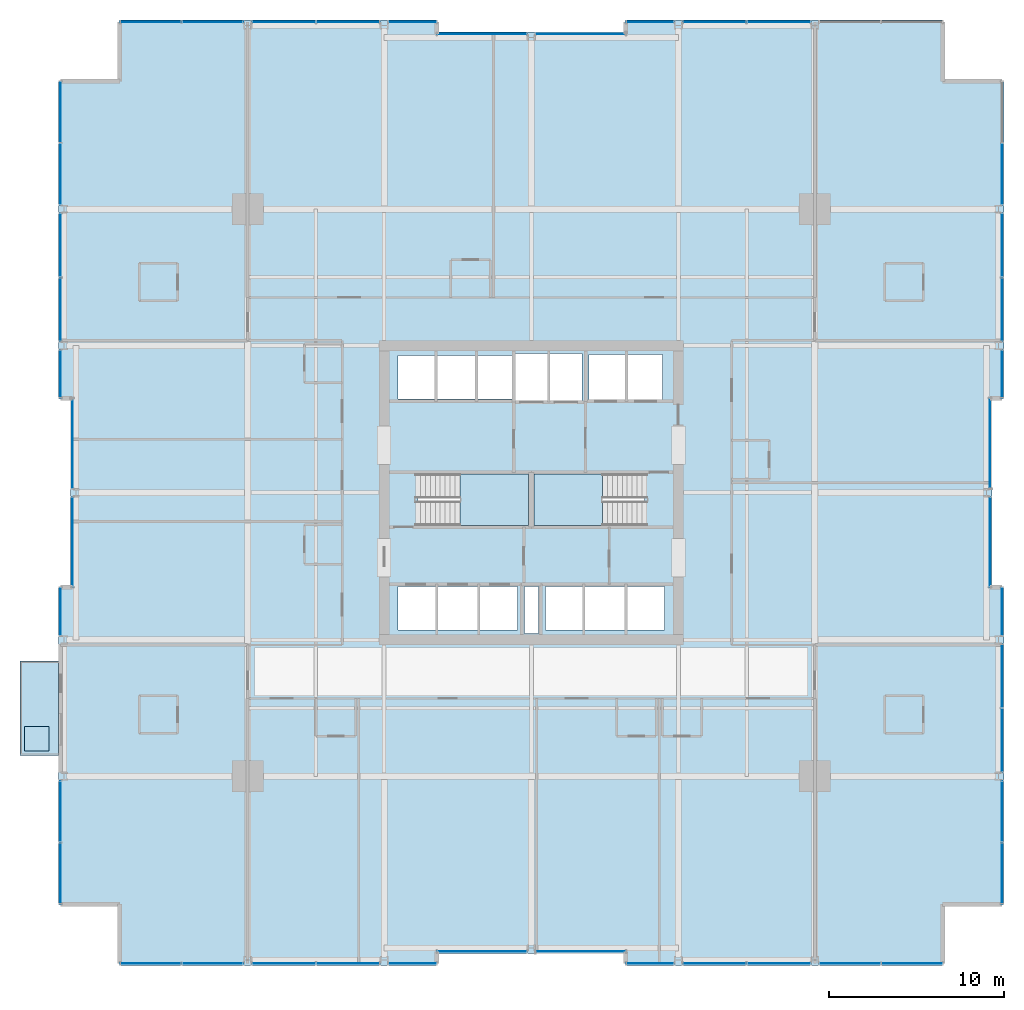
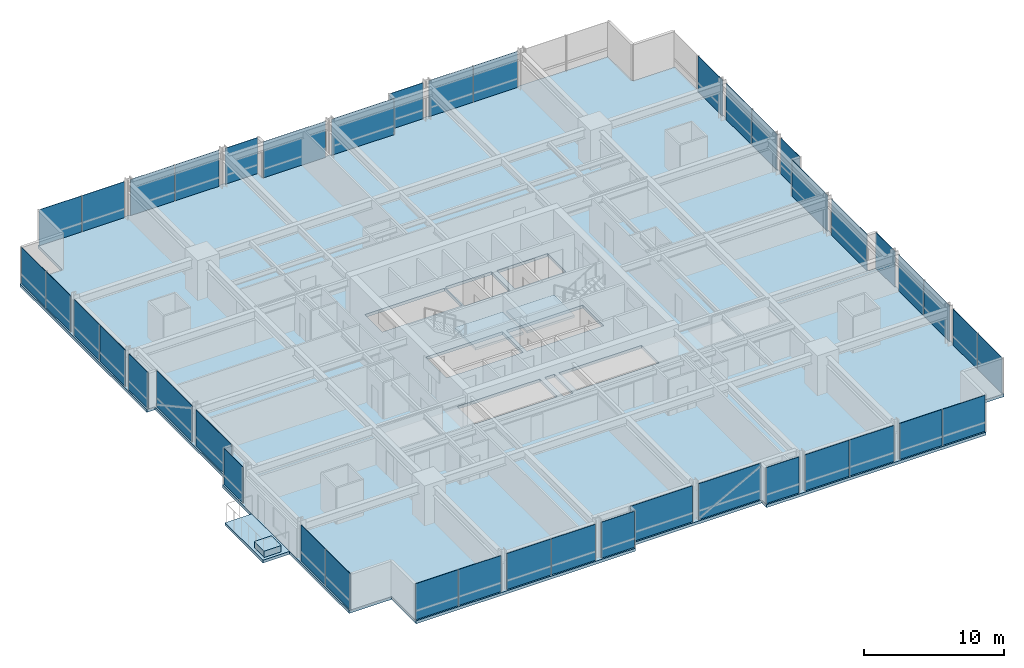
# One storey, part 29 of 37: 43 plates, 5 slabs, 32 elements without a shape of their own.
"""IFC4 building model written with IfcOpenShell, lengths in metres."""

from ifc_helpers import new_model, si_unit, direction, frame, origin, origin_2d, place, context, subcontext, project, spatial, polyline, rectangle, outline, extrude, material, layer, layer_set, type_object, element, aggregate, save


model = new_model("IFC4")

# Units and contexts
model_context = context("Model", 3, precision=1e-05, world=origin(), true_north=direction((0.0, 1.0)))
body_context = subcontext(model_context, "Body", "Model", "MODEL_VIEW")
ifc_project = project(units=[si_unit("LENGTHUNIT", "METRE"), si_unit("AREAUNIT", "SQUARE_METRE"), si_unit("VOLUMEUNIT", "CUBIC_METRE"), si_unit("PLANEANGLEUNIT", "RADIAN"), si_unit("MASSUNIT", "GRAM", prefix="KILO")], contexts=[model_context])

# Site, building, storey
site_placement = place(None, origin())
site = spatial("IfcSite", under=ifc_project, at=site_placement, CompositionType="ELEMENT")
building_placement = place(site_placement, origin())
building = spatial("IfcBuilding", under=site, at=building_placement, Name="Drelvath Grand Hotel", CompositionType="ELEMENT")
storey_placement = place(building_placement, frame((0.0, 0.0, 78.699951171875)))
storey = spatial("IfcBuildingStorey", under=building, at=storey_placement, Name="L19", CompositionType="ELEMENT", Elevation=78.699951171875)

# Slabs
ifc_material_1 = material(Name="Concrete f'c 40 MPa", Category="concrete")
ifc_layer_1 = layer(ifc_material_1, 0.239990234375)
ifc_layer_set_1 = layer_set([ifc_layer_1], Name="Concrete f'c 40 MPa")
slab_type_1 = type_object("IfcSlabType", Name="Cantilevered Tree Balcony Slab 240", PredefinedType="FLOOR", material=ifc_layer_set_1)
slab_1_placement = place(storey_placement, frame((0.0, 0.0, -0.239990234375)))
element("IfcSlab", 1, at=slab_1_placement, inside=storey, type_object=slab_type_1, Name="L19 Cantilevered Tree Balcony Slab 1", PredefinedType="FLOOR", context=body_context, shape_type="SweptSolid", body=[
    extrude(outline(polyline([(-29.199951171875, 12.0), (-27.0, 12.0), (-27.0, 17.39990234375), (-29.199951171875, 17.39990234375), (-29.199951171875, 12.0)])), origin(), (0.0, 0.0, 1.0), 0.239990234375),
])
ifc_layer_2 = layer(ifc_material_1, 0.260009765625)
ifc_layer_set_2 = layer_set([ifc_layer_2], Name="Concrete f'c 40 MPa")
slab_type_2 = type_object("IfcSlabType", Name="Composite RC Floor Slab 260", PredefinedType="FLOOR", material=ifc_layer_set_2)
slab_2_placement = place(storey_placement, frame((0.0, 0.0, -0.260009765625)))
element("IfcSlab", 2, at=slab_2_placement, inside=storey, type_object=slab_type_2, Name="L19 Structural Floor Slab", PredefinedType="FLOOR", context=body_context, shape_type="SweptSolid", body=[
    extrude(outline(polyline([(-23.5, 0.0), (-5.39990234375, 0.0), (-5.39990234375, 0.679931640625), (5.39990234375, 0.679931640625), (5.39990234375, 0.0), (23.5, 0.0), (23.5, 3.5), (27.0, 3.5), (27.0, 21.60009765625), (26.320068359375, 21.60009765625), (26.320068359375, 32.39990234375), (27.0, 32.39990234375), (27.0, 50.5), (23.5, 50.5), (23.5, 54.0), (5.39990234375, 54.0), (5.39990234375, 53.320068359375), (-5.39990234375, 53.320068359375), (-5.39990234375, 54.0), (-23.5, 54.0), (-23.5, 50.5), (-27.0, 50.5), (-27.0, 32.39990234375), (-26.320068359375, 32.39990234375), (-26.320068359375, 21.60009765625), (-27.0, 21.60009765625), (-27.0, 3.5), (-23.5, 3.5), (-23.5, 0.0)]), holes=[polyline([(-6.47998046875, 25.1201171875), (-6.47998046875, 28.080078125), (-0.14990234375, 28.080078125), (-0.14990234375, 25.1201171875), (-6.47998046875, 25.1201171875)]), polyline([(0.14990234375, 25.1201171875), (0.14990234375, 28.080078125), (6.47998046875, 28.080078125), (6.47998046875, 25.1201171875), (0.14990234375, 25.1201171875)]), polyline([(-7.60009765625, 19.14990234375), (-7.60009765625, 21.64990234375), (-0.800048828125, 21.64990234375), (-0.800048828125, 19.14990234375), (-7.60009765625, 19.14990234375)]), polyline([(-0.39990234375, 18.9599609375), (-0.39990234375, 21.639892578125), (0.39990234375, 21.639892578125), (0.39990234375, 18.9599609375), (-0.39990234375, 18.9599609375)]), polyline([(0.800048828125, 19.14990234375), (0.800048828125, 21.64990234375), (7.60009765625, 21.64990234375), (7.60009765625, 19.14990234375), (0.800048828125, 19.14990234375)]), polyline([(-7.60009765625, 32.35009765625), (-7.60009765625, 34.85009765625), (-1.02001953125, 34.85009765625), (-1.02001953125, 32.35009765625), (-7.60009765625, 32.35009765625)]), polyline([(-0.89990234375, 32.25), (-0.89990234375, 34.949951171875), (2.89990234375, 34.949951171875), (2.89990234375, 32.25), (-0.89990234375, 32.25)]), polyline([(3.300048828125, 32.300048828125), (3.300048828125, 34.89990234375), (7.5, 34.89990234375), (7.5, 32.300048828125), (3.300048828125, 32.300048828125)])]), origin(), (0.0, 0.0, 1.0), 0.260009765625),
])

# Stair, slab
ifc_material_2 = material(Name="Concrete C40/50", Category="concrete")
stair_type = type_object("IfcStairType", Name="Dogleg Exit Stair W1400-R175.0", PredefinedType="HALF_TURN_STAIR", material=ifc_material_2)
stair_1_placement = place(storey_placement, origin())
stair_1 = element("IfcStair", 3, at=stair_1_placement, inside=storey, type_object=stair_type, Name="L19 Core Exit Stair ST-1", PredefinedType="HALF_TURN_STAIR")
ifc_layer_3 = layer(ifc_material_2, 0.199951171875)
ifc_layer_set_3 = layer_set([ifc_layer_3], Name="Concrete C40/50")
slab_type_3 = type_object("IfcSlabType", Name="Concrete Stair Landing Slab 200", PredefinedType="LANDING", material=ifc_layer_set_3)
slab_3_placement = place(storey_placement, frame((0.0, 0.0, 1.550048828125)))
slab_3 = element("IfcSlab", 4, at=slab_3_placement, type_object=slab_type_3, Name="ST-1 landing 1", PredefinedType="LANDING", context=body_context, shape_type="SweptSolid", body=[
    extrude(outline(polyline([(-4.080078125, 25.1201171875), (-0.14990234375, 25.1201171875), (-0.14990234375, 28.080078125), (-4.080078125, 28.080078125), (-4.080078125, 25.1201171875)])), origin(), (0.0, 0.0, 1.0), 0.199951171875),
])
aggregate(stair_1, [slab_3])

stair_2_placement = place(storey_placement, origin())
stair_2 = element("IfcStair", 5, at=stair_2_placement, inside=storey, type_object=stair_type, Name="L19 Core Exit Stair ST-2", PredefinedType="HALF_TURN_STAIR")
slab_4_placement = place(storey_placement, frame((0.0, 0.0, 1.550048828125)))
slab_4 = element("IfcSlab", 6, at=slab_4_placement, type_object=slab_type_3, Name="ST-2 landing 1", PredefinedType="LANDING", context=body_context, shape_type="SweptSolid", body=[
    extrude(outline(polyline([(4.080078125, 28.080078125), (0.14990234375, 28.080078125), (0.14990234375, 25.1201171875), (4.080078125, 25.1201171875), (4.080078125, 28.080078125)])), origin(), (0.0, 0.0, 1.0), 0.199951171875),
])
aggregate(stair_2, [slab_4])

# Curtain wall, plates
ifc_material_3 = material(Name="Warm Bronze Anodised Aluminium Frame", Category="aluminium")
ifc_layer_4 = layer(ifc_material_3, 0.199951171875)
ifc_layer_set_4 = layer_set([ifc_layer_4], Name="Warm Bronze Anodised Aluminium Frame")
curtain_wall_type = type_object("IfcCurtainWallType", Name="Stick Curtain Wall CW-02 Warm Bronze Low-Rise", PredefinedType="NOTDEFINED", material=ifc_layer_set_4)
curtain_wall_1_placement = place(storey_placement, origin())
curtain_wall_1 = element("IfcCurtainWall", 7, at=curtain_wall_1_placement, inside=storey, type_object=curtain_wall_type, Name="L19 CW-02 Curtain Wall CW02-L19-WS1", PredefinedType="NOTDEFINED")
ifc_material_4 = material(Name="Low-E Triple Silver Vision Glass Bronze Tint", Category="glass")
ifc_layer_5 = layer(ifc_material_4, 0.035888671875)
ifc_layer_set_5 = layer_set([ifc_layer_5], Name="Low-E Triple Silver Vision Glass Bronze Tint")
plate_type = type_object("IfcPlateType", Name="Curtain Wall Vision Panel CW-02 36mm", PredefinedType="CURTAIN_PANEL", material=ifc_layer_set_5)
plate_1_placement = place(storey_placement, frame((-26.8798828125, 5.267578125, 0.02001953125), z_axis=(0.0, 0.0, 1.0), x_axis=(0.0, 1.0, 0.0)))
plate_1 = element("IfcPlate", 8, at=plate_1_placement, type_object=plate_type, Name="CW02-L19-WS1 Glazed Panel 1", PredefinedType="CURTAIN_PANEL", context=body_context, shape_type="SweptSolid", body=[
    extrude(rectangle(XDim=3.495361328125, YDim=0.035888671875, at=origin_2d()), origin(), (0.0, 0.0, 1.0), 3.139892578125),
])
plate_2_placement = place(storey_placement, frame((-26.8798828125, 8.80322265625, 0.02001953125), z_axis=(0.0, 0.0, 1.0), x_axis=(0.0, 1.0, 0.0)))
plate_2 = element("IfcPlate", 9, at=plate_2_placement, type_object=plate_type, Name="CW02-L19-WS1 Glazed Panel 2", PredefinedType="CURTAIN_PANEL", context=body_context, shape_type="SweptSolid", body=[
    extrude(rectangle(XDim=3.495361328125, YDim=0.035888671875, at=origin_2d()), origin(), (0.0, 0.0, 1.0), 3.139892578125),
])
aggregate(curtain_wall_1, [plate_1, plate_2])

# Curtain wall, plate
curtain_wall_2_placement = place(storey_placement, origin())
curtain_wall_2 = element("IfcCurtainWall", 10, at=curtain_wall_2_placement, inside=storey, type_object=curtain_wall_type, Name="L19 CW-02 Curtain Wall CW02-L19-WS3", PredefinedType="NOTDEFINED")
plate_3_placement = place(storey_placement, frame((-26.8798828125, 20.214599609375, 0.02001953125), z_axis=(0.0, 0.0, 1.0), x_axis=(0.0, 1.0, 0.0)))
plate_3 = element("IfcPlate", 11, at=plate_3_placement, type_object=plate_type, Name="CW02-L19-WS3 Glazed Panel 1", PredefinedType="CURTAIN_PANEL", context=body_context, shape_type="SweptSolid", body=[
    extrude(rectangle(XDim=2.73095703125, YDim=0.035888671875, at=origin_2d()), origin(), (0.0, 0.0, 1.0), 3.139892578125),
])
aggregate(curtain_wall_2, [plate_3])

curtain_wall_3_placement = place(storey_placement, origin())
curtain_wall_3 = element("IfcCurtainWall", 12, at=curtain_wall_3_placement, inside=storey, type_object=curtain_wall_type, Name="L19 CW-02 Curtain Wall CW02-L19-WM1", PredefinedType="NOTDEFINED")
plate_4_placement = place(storey_placement, frame((-26.199951171875, 24.185302734375, 0.02001953125), z_axis=(0.0, 0.0, 1.0), x_axis=(0.0, 1.0, 0.0)))
plate_4 = element("IfcPlate", 13, at=plate_4_placement, type_object=plate_type, Name="CW02-L19-WM1 Glazed Panel 1", PredefinedType="CURTAIN_PANEL", context=body_context, shape_type="SweptSolid", body=[
    extrude(rectangle(XDim=5.130859375, YDim=0.035888671875, at=origin_2d()), origin(), (0.0, 0.0, 1.0), 3.139892578125),
])
aggregate(curtain_wall_3, [plate_4])

curtain_wall_4_placement = place(storey_placement, origin())
curtain_wall_4 = element("IfcCurtainWall", 14, at=curtain_wall_4_placement, inside=storey, type_object=curtain_wall_type, Name="L19 CW-02 Curtain Wall CW02-L19-WM2", PredefinedType="NOTDEFINED")
plate_5_placement = place(storey_placement, frame((-26.199951171875, 29.814697265625, 0.02001953125), z_axis=(0.0, 0.0, 1.0), x_axis=(0.0, 1.0, 0.0)))
plate_5 = element("IfcPlate", 15, at=plate_5_placement, type_object=plate_type, Name="CW02-L19-WM2 Glazed Panel 1", PredefinedType="CURTAIN_PANEL", context=body_context, shape_type="SweptSolid", body=[
    extrude(rectangle(XDim=5.130859375, YDim=0.035888671875, at=origin_2d()), origin(), (0.0, 0.0, 1.0), 3.139892578125),
])
aggregate(curtain_wall_4, [plate_5])

curtain_wall_5_placement = place(storey_placement, origin())
curtain_wall_5 = element("IfcCurtainWall", 16, at=curtain_wall_5_placement, inside=storey, type_object=curtain_wall_type, Name="L19 CW-02 Curtain Wall CW02-L19-WN1", PredefinedType="NOTDEFINED")
plate_6_placement = place(storey_placement, frame((-26.8798828125, 33.785400390625, 0.02001953125), z_axis=(0.0, 0.0, 1.0), x_axis=(0.0, 1.0, 0.0)))
plate_6 = element("IfcPlate", 17, at=plate_6_placement, type_object=plate_type, Name="CW02-L19-WN1 Glazed Panel 1", PredefinedType="CURTAIN_PANEL", context=body_context, shape_type="SweptSolid", body=[
    extrude(rectangle(XDim=2.73095703125, YDim=0.035888671875, at=origin_2d()), origin(), (0.0, 0.0, 1.0), 3.139892578125),
])
aggregate(curtain_wall_5, [plate_6])

# Curtain wall, plates
curtain_wall_6_placement = place(storey_placement, origin())
curtain_wall_6 = element("IfcCurtainWall", 18, at=curtain_wall_6_placement, inside=storey, type_object=curtain_wall_type, Name="L19 CW-02 Curtain Wall CW02-L19-WN2", PredefinedType="NOTDEFINED")
plate_7_placement = place(storey_placement, frame((-26.8798828125, 37.464599609375, 0.02001953125), z_axis=(0.0, 0.0, 1.0), x_axis=(0.0, 1.0, 0.0)))
plate_7 = element("IfcPlate", 19, at=plate_7_placement, type_object=plate_type, Name="CW02-L19-WN2 Glazed Panel 1", PredefinedType="CURTAIN_PANEL", context=body_context, shape_type="SweptSolid", body=[
    extrude(rectangle(XDim=3.630859375, YDim=0.035888671875, at=origin_2d()), origin(), (0.0, 0.0, 1.0), 3.139892578125),
])
plate_8_placement = place(storey_placement, frame((-26.8798828125, 41.135498046875, 0.02001953125), z_axis=(0.0, 0.0, 1.0), x_axis=(0.0, 1.0, 0.0)))
plate_8 = element("IfcPlate", 20, at=plate_8_placement, type_object=plate_type, Name="CW02-L19-WN2 Glazed Panel 2", PredefinedType="CURTAIN_PANEL", context=body_context, shape_type="SweptSolid", body=[
    extrude(rectangle(XDim=3.630859375, YDim=0.035888671875, at=origin_2d()), origin(), (0.0, 0.0, 1.0), 3.139892578125),
])
aggregate(curtain_wall_6, [plate_7, plate_8])

curtain_wall_7_placement = place(storey_placement, origin())
curtain_wall_7 = element("IfcCurtainWall", 21, at=curtain_wall_7_placement, inside=storey, type_object=curtain_wall_type, Name="L19 CW-02 Curtain Wall CW02-L19-WN3", PredefinedType="NOTDEFINED")
plate_9_placement = place(storey_placement, frame((-26.8798828125, 45.19677734375, 0.02001953125), z_axis=(0.0, 0.0, 1.0), x_axis=(0.0, 1.0, 0.0)))
plate_9 = element("IfcPlate", 22, at=plate_9_placement, type_object=plate_type, Name="CW02-L19-WN3 Glazed Panel 1", PredefinedType="CURTAIN_PANEL", context=body_context, shape_type="SweptSolid", body=[
    extrude(rectangle(XDim=3.49560546875, YDim=0.035888671875, at=origin_2d()), origin(), (0.0, 0.0, 1.0), 3.139892578125),
])
plate_10_placement = place(storey_placement, frame((-26.8798828125, 48.732421875, 0.02001953125), z_axis=(0.0, 0.0, 1.0), x_axis=(0.0, 1.0, 0.0)))
plate_10 = element("IfcPlate", 23, at=plate_10_placement, type_object=plate_type, Name="CW02-L19-WN3 Glazed Panel 2", PredefinedType="CURTAIN_PANEL", context=body_context, shape_type="SweptSolid", body=[
    extrude(rectangle(XDim=3.49560546875, YDim=0.035888671875, at=origin_2d()), origin(), (0.0, 0.0, 1.0), 3.139892578125),
])
aggregate(curtain_wall_7, [plate_9, plate_10])

# Curtain wall, plate
curtain_wall_8_placement = place(storey_placement, origin())
curtain_wall_8 = element("IfcCurtainWall", 24, at=curtain_wall_8_placement, inside=storey, type_object=curtain_wall_type, Name="L19 CW-02 Curtain Wall CW02-L19-EN1", PredefinedType="NOTDEFINED")
plate_11_placement = place(storey_placement, frame((26.8798828125, 33.785400390625, 0.02001953125), z_axis=(0.0, 0.0, 1.0), x_axis=(0.0, -1.0, 0.0)))
plate_11 = element("IfcPlate", 25, at=plate_11_placement, type_object=plate_type, Name="CW02-L19-EN1 Glazed Panel 1", PredefinedType="CURTAIN_PANEL", context=body_context, shape_type="SweptSolid", body=[
    extrude(rectangle(XDim=2.73095703125, YDim=0.035888671875, at=origin_2d()), origin(), (0.0, 0.0, 1.0), 3.139892578125),
])
aggregate(curtain_wall_8, [plate_11])

# Curtain wall, plates
curtain_wall_9_placement = place(storey_placement, origin())
curtain_wall_9 = element("IfcCurtainWall", 26, at=curtain_wall_9_placement, inside=storey, type_object=curtain_wall_type, Name="L19 CW-02 Curtain Wall CW02-L19-EN2", PredefinedType="NOTDEFINED")
plate_12_placement = place(storey_placement, frame((26.8798828125, 41.135498046875, 0.02001953125), z_axis=(0.0, 0.0, 1.0), x_axis=(0.0, -1.0, 0.0)))
plate_12 = element("IfcPlate", 27, at=plate_12_placement, type_object=plate_type, Name="CW02-L19-EN2 Glazed Panel 1", PredefinedType="CURTAIN_PANEL", context=body_context, shape_type="SweptSolid", body=[
    extrude(rectangle(XDim=3.630859375, YDim=0.035888671875, at=origin_2d()), origin(), (0.0, 0.0, 1.0), 3.139892578125),
])
plate_13_placement = place(storey_placement, frame((26.8798828125, 37.464599609375, 0.02001953125), z_axis=(0.0, 0.0, 1.0), x_axis=(0.0, -1.0, 0.0)))
plate_13 = element("IfcPlate", 28, at=plate_13_placement, type_object=plate_type, Name="CW02-L19-EN2 Glazed Panel 2", PredefinedType="CURTAIN_PANEL", context=body_context, shape_type="SweptSolid", body=[
    extrude(rectangle(XDim=3.630859375, YDim=0.035888671875, at=origin_2d()), origin(), (0.0, 0.0, 1.0), 3.139892578125),
])
aggregate(curtain_wall_9, [plate_12, plate_13])

# Curtain wall, plate
curtain_wall_10_placement = place(storey_placement, origin())
curtain_wall_10 = element("IfcCurtainWall", 29, at=curtain_wall_10_placement, inside=storey, type_object=curtain_wall_type, Name="L19 CW-02 Curtain Wall CW02-L19-EN3", PredefinedType="NOTDEFINED")
plate_14_placement = place(storey_placement, frame((26.8798828125, 45.19677734375, 0.02001953125), z_axis=(0.0, 0.0, 1.0), x_axis=(0.0, -1.0, 0.0)))
plate_14 = element("IfcPlate", 30, at=plate_14_placement, type_object=plate_type, Name="CW02-L19-EN3 Glazed Panel 2", PredefinedType="CURTAIN_PANEL", context=body_context, shape_type="SweptSolid", body=[
    extrude(rectangle(XDim=3.49560546875, YDim=0.035888671875, at=origin_2d()), origin(), (0.0, 0.0, 1.0), 3.139892578125),
])
aggregate(curtain_wall_10, [plate_14])

curtain_wall_11_placement = place(storey_placement, origin())
curtain_wall_11 = element("IfcCurtainWall", 31, at=curtain_wall_11_placement, inside=storey, type_object=curtain_wall_type, Name="L19 CW-02 Curtain Wall CW02-L19-EM1", PredefinedType="NOTDEFINED")
plate_15_placement = place(storey_placement, frame((26.199951171875, 24.185302734375, 0.02001953125), z_axis=(0.0, 0.0, 1.0), x_axis=(0.0, -1.0, 0.0)))
plate_15 = element("IfcPlate", 32, at=plate_15_placement, type_object=plate_type, Name="CW02-L19-EM1 Glazed Panel 1", PredefinedType="CURTAIN_PANEL", context=body_context, shape_type="SweptSolid", body=[
    extrude(rectangle(XDim=5.130859375, YDim=0.035888671875, at=origin_2d()), origin(), (0.0, 0.0, 1.0), 3.139892578125),
])
aggregate(curtain_wall_11, [plate_15])

curtain_wall_12_placement = place(storey_placement, origin())
curtain_wall_12 = element("IfcCurtainWall", 33, at=curtain_wall_12_placement, inside=storey, type_object=curtain_wall_type, Name="L19 CW-02 Curtain Wall CW02-L19-EM2", PredefinedType="NOTDEFINED")
plate_16_placement = place(storey_placement, frame((26.199951171875, 29.814697265625, 0.02001953125), z_axis=(0.0, 0.0, 1.0), x_axis=(0.0, -1.0, 0.0)))
plate_16 = element("IfcPlate", 34, at=plate_16_placement, type_object=plate_type, Name="CW02-L19-EM2 Glazed Panel 1", PredefinedType="CURTAIN_PANEL", context=body_context, shape_type="SweptSolid", body=[
    extrude(rectangle(XDim=5.130859375, YDim=0.035888671875, at=origin_2d()), origin(), (0.0, 0.0, 1.0), 3.139892578125),
])
aggregate(curtain_wall_12, [plate_16])

# Curtain wall, plates
curtain_wall_13_placement = place(storey_placement, origin())
curtain_wall_13 = element("IfcCurtainWall", 35, at=curtain_wall_13_placement, inside=storey, type_object=curtain_wall_type, Name="L19 CW-02 Curtain Wall CW02-L19-ES1", PredefinedType="NOTDEFINED")
plate_17_placement = place(storey_placement, frame((26.8798828125, 8.80322265625, 0.02001953125), z_axis=(0.0, 0.0, 1.0), x_axis=(0.0, -1.0, 0.0)))
plate_17 = element("IfcPlate", 36, at=plate_17_placement, type_object=plate_type, Name="CW02-L19-ES1 Glazed Panel 1", PredefinedType="CURTAIN_PANEL", context=body_context, shape_type="SweptSolid", body=[
    extrude(rectangle(XDim=3.495361328125, YDim=0.035888671875, at=origin_2d()), origin(), (0.0, 0.0, 1.0), 3.139892578125),
])
plate_18_placement = place(storey_placement, frame((26.8798828125, 5.267578125, 0.02001953125), z_axis=(0.0, 0.0, 1.0), x_axis=(0.0, -1.0, 0.0)))
plate_18 = element("IfcPlate", 37, at=plate_18_placement, type_object=plate_type, Name="CW02-L19-ES1 Glazed Panel 2", PredefinedType="CURTAIN_PANEL", context=body_context, shape_type="SweptSolid", body=[
    extrude(rectangle(XDim=3.495361328125, YDim=0.035888671875, at=origin_2d()), origin(), (0.0, 0.0, 1.0), 3.139892578125),
])
aggregate(curtain_wall_13, [plate_17, plate_18])

curtain_wall_14_placement = place(storey_placement, origin())
curtain_wall_14 = element("IfcCurtainWall", 38, at=curtain_wall_14_placement, inside=storey, type_object=curtain_wall_type, Name="L19 CW-02 Curtain Wall CW02-L19-ES2", PredefinedType="NOTDEFINED")
plate_19_placement = place(storey_placement, frame((26.8798828125, 16.535400390625, 0.02001953125), z_axis=(0.0, 0.0, 1.0), x_axis=(0.0, -1.0, 0.0)))
plate_19 = element("IfcPlate", 39, at=plate_19_placement, type_object=plate_type, Name="CW02-L19-ES2 Glazed Panel 1", PredefinedType="CURTAIN_PANEL", context=body_context, shape_type="SweptSolid", body=[
    extrude(rectangle(XDim=3.630859375, YDim=0.035888671875, at=origin_2d()), origin(), (0.0, 0.0, 1.0), 3.139892578125),
])
plate_20_placement = place(storey_placement, frame((26.8798828125, 12.864501953125, 0.02001953125), z_axis=(0.0, 0.0, 1.0), x_axis=(0.0, -1.0, 0.0)))
plate_20 = element("IfcPlate", 40, at=plate_20_placement, type_object=plate_type, Name="CW02-L19-ES2 Glazed Panel 2", PredefinedType="CURTAIN_PANEL", context=body_context, shape_type="SweptSolid", body=[
    extrude(rectangle(XDim=3.630859375, YDim=0.035888671875, at=origin_2d()), origin(), (0.0, 0.0, 1.0), 3.139892578125),
])
aggregate(curtain_wall_14, [plate_19, plate_20])

# Curtain wall, plate
curtain_wall_15_placement = place(storey_placement, origin())
curtain_wall_15 = element("IfcCurtainWall", 41, at=curtain_wall_15_placement, inside=storey, type_object=curtain_wall_type, Name="L19 CW-02 Curtain Wall CW02-L19-ES3", PredefinedType="NOTDEFINED")
plate_21_placement = place(storey_placement, frame((26.8798828125, 20.214599609375, 0.02001953125), z_axis=(0.0, 0.0, 1.0), x_axis=(0.0, -1.0, 0.0)))
plate_21 = element("IfcPlate", 42, at=plate_21_placement, type_object=plate_type, Name="CW02-L19-ES3 Glazed Panel 1", PredefinedType="CURTAIN_PANEL", context=body_context, shape_type="SweptSolid", body=[
    extrude(rectangle(XDim=2.73095703125, YDim=0.035888671875, at=origin_2d()), origin(), (0.0, 0.0, 1.0), 3.139892578125),
])
aggregate(curtain_wall_15, [plate_21])

# Curtain wall, plates
curtain_wall_16_placement = place(storey_placement, origin())
curtain_wall_16 = element("IfcCurtainWall", 43, at=curtain_wall_16_placement, inside=storey, type_object=curtain_wall_type, Name="L19 CW-02 Curtain Wall CW02-L19-NW1", PredefinedType="NOTDEFINED")
plate_22_placement = place(storey_placement, frame((-21.732421875, 53.8798828125, 0.02001953125), z_axis=(0.0, 0.0, 1.0), x_axis=(1.0, 0.0, 0.0)))
plate_22 = element("IfcPlate", 44, at=plate_22_placement, type_object=plate_type, Name="CW02-L19-NW1 Glazed Panel 1", PredefinedType="CURTAIN_PANEL", context=body_context, shape_type="SweptSolid", body=[
    extrude(rectangle(XDim=3.49560546875, YDim=0.035888671875, at=origin_2d()), origin(), (0.0, 0.0, 1.0), 3.139892578125),
])
plate_23_placement = place(storey_placement, frame((-18.19677734375, 53.8798828125, 0.02001953125), z_axis=(0.0, 0.0, 1.0), x_axis=(1.0, 0.0, 0.0)))
plate_23 = element("IfcPlate", 45, at=plate_23_placement, type_object=plate_type, Name="CW02-L19-NW1 Glazed Panel 2", PredefinedType="CURTAIN_PANEL", context=body_context, shape_type="SweptSolid", body=[
    extrude(rectangle(XDim=3.49560546875, YDim=0.035888671875, at=origin_2d()), origin(), (0.0, 0.0, 1.0), 3.139892578125),
])
aggregate(curtain_wall_16, [plate_22, plate_23])

curtain_wall_17_placement = place(storey_placement, origin())
curtain_wall_17 = element("IfcCurtainWall", 46, at=curtain_wall_17_placement, inside=storey, type_object=curtain_wall_type, Name="L19 CW-02 Curtain Wall CW02-L19-NW2", PredefinedType="NOTDEFINED")
plate_24_placement = place(storey_placement, frame((-14.135498046875, 53.8798828125, 0.02001953125), z_axis=(0.0, 0.0, 1.0), x_axis=(1.0, 0.0, 0.0)))
plate_24 = element("IfcPlate", 47, at=plate_24_placement, type_object=plate_type, Name="CW02-L19-NW2 Glazed Panel 1", PredefinedType="CURTAIN_PANEL", context=body_context, shape_type="SweptSolid", body=[
    extrude(rectangle(XDim=3.630859375, YDim=0.035888671875, at=origin_2d()), origin(), (0.0, 0.0, 1.0), 3.139892578125),
])
plate_25_placement = place(storey_placement, frame((-10.464599609375, 53.8798828125, 0.02001953125), z_axis=(0.0, 0.0, 1.0), x_axis=(1.0, 0.0, 0.0)))
plate_25 = element("IfcPlate", 48, at=plate_25_placement, type_object=plate_type, Name="CW02-L19-NW2 Glazed Panel 2", PredefinedType="CURTAIN_PANEL", context=body_context, shape_type="SweptSolid", body=[
    extrude(rectangle(XDim=3.630859375, YDim=0.035888671875, at=origin_2d()), origin(), (0.0, 0.0, 1.0), 3.139892578125),
])
aggregate(curtain_wall_17, [plate_24, plate_25])

# Curtain wall, plate
curtain_wall_18_placement = place(storey_placement, origin())
curtain_wall_18 = element("IfcCurtainWall", 49, at=curtain_wall_18_placement, inside=storey, type_object=curtain_wall_type, Name="L19 CW-02 Curtain Wall CW02-L19-NW3", PredefinedType="NOTDEFINED")
plate_26_placement = place(storey_placement, frame((-6.785400390625, 53.8798828125, 0.02001953125), z_axis=(0.0, 0.0, 1.0), x_axis=(1.0, 0.0, 0.0)))
plate_26 = element("IfcPlate", 50, at=plate_26_placement, type_object=plate_type, Name="CW02-L19-NW3 Glazed Panel 1", PredefinedType="CURTAIN_PANEL", context=body_context, shape_type="SweptSolid", body=[
    extrude(rectangle(XDim=2.73095703125, YDim=0.035888671875, at=origin_2d()), origin(), (0.0, 0.0, 1.0), 3.139892578125),
])
aggregate(curtain_wall_18, [plate_26])

curtain_wall_19_placement = place(storey_placement, origin())
curtain_wall_19 = element("IfcCurtainWall", 51, at=curtain_wall_19_placement, inside=storey, type_object=curtain_wall_type, Name="L19 CW-02 Curtain Wall CW02-L19-NM1", PredefinedType="NOTDEFINED")
plate_27_placement = place(storey_placement, frame((-2.814697265625, 53.199951171875, 0.02001953125), z_axis=(0.0, 0.0, 1.0), x_axis=(1.0, 0.0, 0.0)))
plate_27 = element("IfcPlate", 52, at=plate_27_placement, type_object=plate_type, Name="CW02-L19-NM1 Glazed Panel 1", PredefinedType="CURTAIN_PANEL", context=body_context, shape_type="SweptSolid", body=[
    extrude(rectangle(XDim=5.130859375, YDim=0.035888671875, at=origin_2d()), origin(), (0.0, 0.0, 1.0), 3.139892578125),
])
aggregate(curtain_wall_19, [plate_27])

curtain_wall_20_placement = place(storey_placement, origin())
curtain_wall_20 = element("IfcCurtainWall", 53, at=curtain_wall_20_placement, inside=storey, type_object=curtain_wall_type, Name="L19 CW-02 Curtain Wall CW02-L19-NM2", PredefinedType="NOTDEFINED")
plate_28_placement = place(storey_placement, frame((2.814697265625, 53.199951171875, 0.02001953125), z_axis=(0.0, 0.0, 1.0), x_axis=(1.0, 0.0, 0.0)))
plate_28 = element("IfcPlate", 54, at=plate_28_placement, type_object=plate_type, Name="CW02-L19-NM2 Glazed Panel 1", PredefinedType="CURTAIN_PANEL", context=body_context, shape_type="SweptSolid", body=[
    extrude(rectangle(XDim=5.130859375, YDim=0.035888671875, at=origin_2d()), origin(), (0.0, 0.0, 1.0), 3.139892578125),
])
aggregate(curtain_wall_20, [plate_28])

curtain_wall_21_placement = place(storey_placement, origin())
curtain_wall_21 = element("IfcCurtainWall", 55, at=curtain_wall_21_placement, inside=storey, type_object=curtain_wall_type, Name="L19 CW-02 Curtain Wall CW02-L19-NE1", PredefinedType="NOTDEFINED")
plate_29_placement = place(storey_placement, frame((6.785400390625, 53.8798828125, 0.02001953125), z_axis=(0.0, 0.0, 1.0), x_axis=(1.0, 0.0, 0.0)))
plate_29 = element("IfcPlate", 56, at=plate_29_placement, type_object=plate_type, Name="CW02-L19-NE1 Glazed Panel 1", PredefinedType="CURTAIN_PANEL", context=body_context, shape_type="SweptSolid", body=[
    extrude(rectangle(XDim=2.73095703125, YDim=0.035888671875, at=origin_2d()), origin(), (0.0, 0.0, 1.0), 3.139892578125),
])
aggregate(curtain_wall_21, [plate_29])

# Curtain wall, plates
curtain_wall_22_placement = place(storey_placement, origin())
curtain_wall_22 = element("IfcCurtainWall", 57, at=curtain_wall_22_placement, inside=storey, type_object=curtain_wall_type, Name="L19 CW-02 Curtain Wall CW02-L19-NE2", PredefinedType="NOTDEFINED")
plate_30_placement = place(storey_placement, frame((10.464599609375, 53.8798828125, 0.02001953125), z_axis=(0.0, 0.0, 1.0), x_axis=(1.0, 0.0, 0.0)))
plate_30 = element("IfcPlate", 58, at=plate_30_placement, type_object=plate_type, Name="CW02-L19-NE2 Glazed Panel 1", PredefinedType="CURTAIN_PANEL", context=body_context, shape_type="SweptSolid", body=[
    extrude(rectangle(XDim=3.630859375, YDim=0.035888671875, at=origin_2d()), origin(), (0.0, 0.0, 1.0), 3.139892578125),
])
plate_31_placement = place(storey_placement, frame((14.135498046875, 53.8798828125, 0.02001953125), z_axis=(0.0, 0.0, 1.0), x_axis=(1.0, 0.0, 0.0)))
plate_31 = element("IfcPlate", 59, at=plate_31_placement, type_object=plate_type, Name="CW02-L19-NE2 Glazed Panel 2", PredefinedType="CURTAIN_PANEL", context=body_context, shape_type="SweptSolid", body=[
    extrude(rectangle(XDim=3.630859375, YDim=0.035888671875, at=origin_2d()), origin(), (0.0, 0.0, 1.0), 3.139892578125),
])
aggregate(curtain_wall_22, [plate_30, plate_31])

# Curtain wall, plate
curtain_wall_23_placement = place(storey_placement, origin())
curtain_wall_23 = element("IfcCurtainWall", 60, at=curtain_wall_23_placement, inside=storey, type_object=curtain_wall_type, Name="L19 CW-02 Curtain Wall CW02-L19-SE1", PredefinedType="NOTDEFINED")
plate_32_placement = place(storey_placement, frame((6.785400390625, 0.1201171875, 0.02001953125), z_axis=(0.0, 0.0, 1.0), x_axis=(-1.0, 0.0, 0.0)))
plate_32 = element("IfcPlate", 61, at=plate_32_placement, type_object=plate_type, Name="CW02-L19-SE1 Glazed Panel 1", PredefinedType="CURTAIN_PANEL", context=body_context, shape_type="SweptSolid", body=[
    extrude(rectangle(XDim=2.73095703125, YDim=0.035888671875, at=origin_2d()), origin(), (0.0, 0.0, 1.0), 3.139892578125),
])
aggregate(curtain_wall_23, [plate_32])

# Curtain wall, plates
curtain_wall_24_placement = place(storey_placement, origin())
curtain_wall_24 = element("IfcCurtainWall", 62, at=curtain_wall_24_placement, inside=storey, type_object=curtain_wall_type, Name="L19 CW-02 Curtain Wall CW02-L19-SE2", PredefinedType="NOTDEFINED")
plate_33_placement = place(storey_placement, frame((14.135498046875, 0.1201171875, 0.02001953125), z_axis=(0.0, 0.0, 1.0), x_axis=(-1.0, 0.0, 0.0)))
plate_33 = element("IfcPlate", 63, at=plate_33_placement, type_object=plate_type, Name="CW02-L19-SE2 Glazed Panel 1", PredefinedType="CURTAIN_PANEL", context=body_context, shape_type="SweptSolid", body=[
    extrude(rectangle(XDim=3.630859375, YDim=0.035888671875, at=origin_2d()), origin(), (0.0, 0.0, 1.0), 3.139892578125),
])
plate_34_placement = place(storey_placement, frame((10.464599609375, 0.1201171875, 0.02001953125), z_axis=(0.0, 0.0, 1.0), x_axis=(-1.0, 0.0, 0.0)))
plate_34 = element("IfcPlate", 64, at=plate_34_placement, type_object=plate_type, Name="CW02-L19-SE2 Glazed Panel 2", PredefinedType="CURTAIN_PANEL", context=body_context, shape_type="SweptSolid", body=[
    extrude(rectangle(XDim=3.630859375, YDim=0.035888671875, at=origin_2d()), origin(), (0.0, 0.0, 1.0), 3.139892578125),
])
aggregate(curtain_wall_24, [plate_33, plate_34])

curtain_wall_25_placement = place(storey_placement, origin())
curtain_wall_25 = element("IfcCurtainWall", 65, at=curtain_wall_25_placement, inside=storey, type_object=curtain_wall_type, Name="L19 CW-02 Curtain Wall CW02-L19-SE3", PredefinedType="NOTDEFINED")
plate_35_placement = place(storey_placement, frame((21.732421875, 0.1201171875, 0.02001953125), z_axis=(0.0, 0.0, 1.0), x_axis=(-1.0, 0.0, 0.0)))
plate_35 = element("IfcPlate", 66, at=plate_35_placement, type_object=plate_type, Name="CW02-L19-SE3 Glazed Panel 1", PredefinedType="CURTAIN_PANEL", context=body_context, shape_type="SweptSolid", body=[
    extrude(rectangle(XDim=3.49560546875, YDim=0.035888671875, at=origin_2d()), origin(), (0.0, 0.0, 1.0), 3.139892578125),
])
plate_36_placement = place(storey_placement, frame((18.19677734375, 0.1201171875, 0.02001953125), z_axis=(0.0, 0.0, 1.0), x_axis=(-1.0, 0.0, 0.0)))
plate_36 = element("IfcPlate", 67, at=plate_36_placement, type_object=plate_type, Name="CW02-L19-SE3 Glazed Panel 2", PredefinedType="CURTAIN_PANEL", context=body_context, shape_type="SweptSolid", body=[
    extrude(rectangle(XDim=3.49560546875, YDim=0.035888671875, at=origin_2d()), origin(), (0.0, 0.0, 1.0), 3.139892578125),
])
aggregate(curtain_wall_25, [plate_35, plate_36])

# Curtain wall, plate
curtain_wall_26_placement = place(storey_placement, origin())
curtain_wall_26 = element("IfcCurtainWall", 68, at=curtain_wall_26_placement, inside=storey, type_object=curtain_wall_type, Name="L19 CW-02 Curtain Wall CW02-L19-SM1", PredefinedType="NOTDEFINED")
plate_37_placement = place(storey_placement, frame((-2.814697265625, 0.800048828125, 0.02001953125), z_axis=(0.0, 0.0, 1.0), x_axis=(-1.0, 0.0, 0.0)))
plate_37 = element("IfcPlate", 69, at=plate_37_placement, type_object=plate_type, Name="CW02-L19-SM1 Glazed Panel 1", PredefinedType="CURTAIN_PANEL", context=body_context, shape_type="SweptSolid", body=[
    extrude(rectangle(XDim=5.130859375, YDim=0.035888671875, at=origin_2d()), origin(), (0.0, 0.0, 1.0), 3.139892578125),
])
aggregate(curtain_wall_26, [plate_37])

curtain_wall_27_placement = place(storey_placement, origin())
curtain_wall_27 = element("IfcCurtainWall", 70, at=curtain_wall_27_placement, inside=storey, type_object=curtain_wall_type, Name="L19 CW-02 Curtain Wall CW02-L19-SM2", PredefinedType="NOTDEFINED")
plate_38_placement = place(storey_placement, frame((2.814697265625, 0.800048828125, 0.02001953125), z_axis=(0.0, 0.0, 1.0), x_axis=(-1.0, 0.0, 0.0)))
plate_38 = element("IfcPlate", 71, at=plate_38_placement, type_object=plate_type, Name="CW02-L19-SM2 Glazed Panel 1", PredefinedType="CURTAIN_PANEL", context=body_context, shape_type="SweptSolid", body=[
    extrude(rectangle(XDim=5.130859375, YDim=0.035888671875, at=origin_2d()), origin(), (0.0, 0.0, 1.0), 3.139892578125),
])
aggregate(curtain_wall_27, [plate_38])

# Curtain wall, plates
curtain_wall_28_placement = place(storey_placement, origin())
curtain_wall_28 = element("IfcCurtainWall", 72, at=curtain_wall_28_placement, inside=storey, type_object=curtain_wall_type, Name="L19 CW-02 Curtain Wall CW02-L19-SW1", PredefinedType="NOTDEFINED")
plate_39_placement = place(storey_placement, frame((-18.19677734375, 0.1201171875, 0.02001953125), z_axis=(0.0, 0.0, 1.0), x_axis=(-1.0, 0.0, 0.0)))
plate_39 = element("IfcPlate", 73, at=plate_39_placement, type_object=plate_type, Name="CW02-L19-SW1 Glazed Panel 1", PredefinedType="CURTAIN_PANEL", context=body_context, shape_type="SweptSolid", body=[
    extrude(rectangle(XDim=3.49560546875, YDim=0.035888671875, at=origin_2d()), origin(), (0.0, 0.0, 1.0), 3.139892578125),
])
plate_40_placement = place(storey_placement, frame((-21.732421875, 0.1201171875, 0.02001953125), z_axis=(0.0, 0.0, 1.0), x_axis=(-1.0, 0.0, 0.0)))
plate_40 = element("IfcPlate", 74, at=plate_40_placement, type_object=plate_type, Name="CW02-L19-SW1 Glazed Panel 2", PredefinedType="CURTAIN_PANEL", context=body_context, shape_type="SweptSolid", body=[
    extrude(rectangle(XDim=3.49560546875, YDim=0.035888671875, at=origin_2d()), origin(), (0.0, 0.0, 1.0), 3.139892578125),
])
aggregate(curtain_wall_28, [plate_39, plate_40])

curtain_wall_29_placement = place(storey_placement, origin())
curtain_wall_29 = element("IfcCurtainWall", 75, at=curtain_wall_29_placement, inside=storey, type_object=curtain_wall_type, Name="L19 CW-02 Curtain Wall CW02-L19-SW2", PredefinedType="NOTDEFINED")
plate_41_placement = place(storey_placement, frame((-10.464599609375, 0.1201171875, 0.02001953125), z_axis=(0.0, 0.0, 1.0), x_axis=(-1.0, 0.0, 0.0)))
plate_41 = element("IfcPlate", 76, at=plate_41_placement, type_object=plate_type, Name="CW02-L19-SW2 Glazed Panel 1", PredefinedType="CURTAIN_PANEL", context=body_context, shape_type="SweptSolid", body=[
    extrude(rectangle(XDim=3.630859375, YDim=0.035888671875, at=origin_2d()), origin(), (0.0, 0.0, 1.0), 3.139892578125),
])
plate_42_placement = place(storey_placement, frame((-14.135498046875, 0.1201171875, 0.02001953125), z_axis=(0.0, 0.0, 1.0), x_axis=(-1.0, 0.0, 0.0)))
plate_42 = element("IfcPlate", 77, at=plate_42_placement, type_object=plate_type, Name="CW02-L19-SW2 Glazed Panel 2", PredefinedType="CURTAIN_PANEL", context=body_context, shape_type="SweptSolid", body=[
    extrude(rectangle(XDim=3.630859375, YDim=0.035888671875, at=origin_2d()), origin(), (0.0, 0.0, 1.0), 3.139892578125),
])
aggregate(curtain_wall_29, [plate_41, plate_42])

# Curtain wall, plate
curtain_wall_30_placement = place(storey_placement, origin())
curtain_wall_30 = element("IfcCurtainWall", 78, at=curtain_wall_30_placement, inside=storey, type_object=curtain_wall_type, Name="L19 CW-02 Curtain Wall CW02-L19-SW3", PredefinedType="NOTDEFINED")
plate_43_placement = place(storey_placement, frame((-6.785400390625, 0.1201171875, 0.02001953125), z_axis=(0.0, 0.0, 1.0), x_axis=(-1.0, 0.0, 0.0)))
plate_43 = element("IfcPlate", 79, at=plate_43_placement, type_object=plate_type, Name="CW02-L19-SW3 Glazed Panel 1", PredefinedType="CURTAIN_PANEL", context=body_context, shape_type="SweptSolid", body=[
    extrude(rectangle(XDim=2.73095703125, YDim=0.035888671875, at=origin_2d()), origin(), (0.0, 0.0, 1.0), 3.139892578125),
])
aggregate(curtain_wall_30, [plate_43])

# Slab
ifc_layer_6 = layer(ifc_material_1, 0.550048828125)
ifc_layer_set_6 = layer_set([ifc_layer_6], Name="Concrete f'c 40 MPa")
slab_type_4 = type_object("IfcSlabType", Name="Structural Tree Planter Box 550", PredefinedType="USERDEFINED", material=ifc_layer_set_6)
slab_5_placement = place(storey_placement, origin())
element("IfcSlab", 80, at=slab_5_placement, inside=storey, type_object=slab_type_4, Name="L19 Tree Balcony Structural Planter 1", ObjectType="PLANTER", PredefinedType="USERDEFINED", context=body_context, shape_type="SweptSolid", body=[
    extrude(outline(polyline([(-28.949951171875, 12.25), (-27.550048828125, 12.25), (-27.550048828125, 13.64990234375), (-28.949951171875, 13.64990234375), (-28.949951171875, 12.25)])), origin(), (0.0, 0.0, 1.0), 0.550048828125),
])

save(model, "model.ifc")
